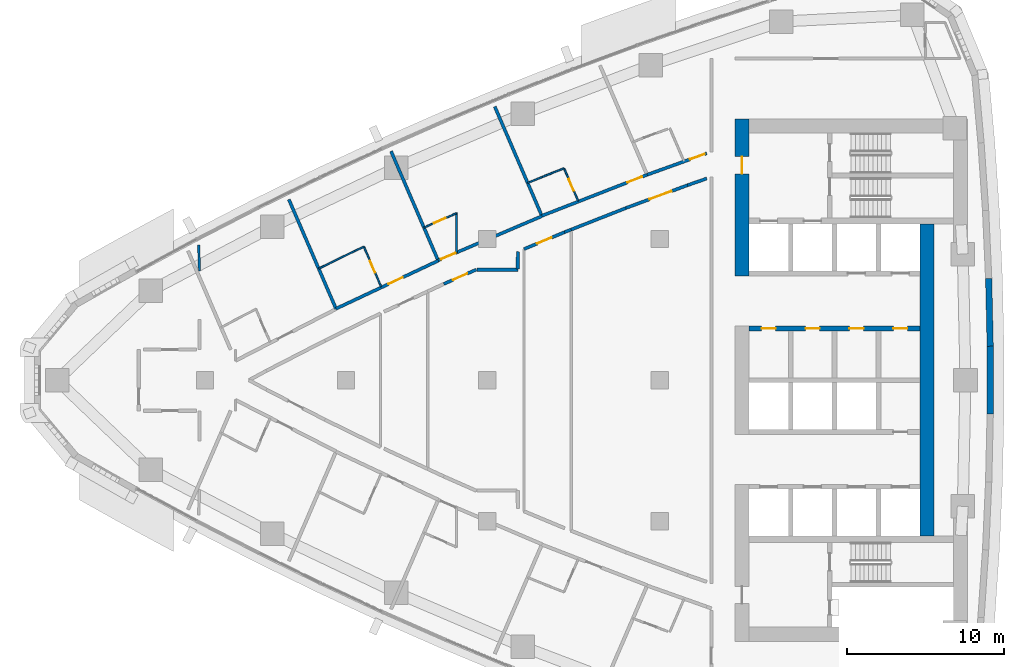
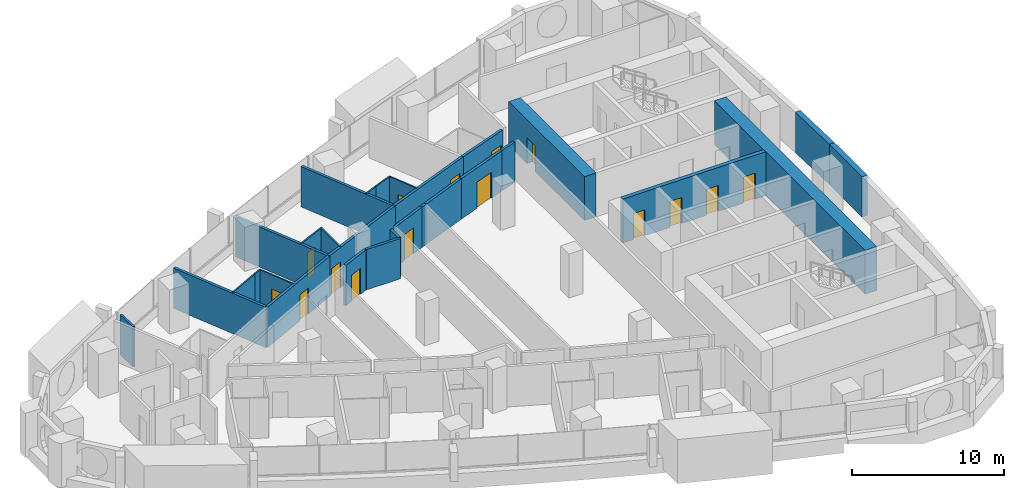
# One storey, part 11 of 17: 29 walls, 15 doors, 15 openings.
"""IFC4 building model written with IfcOpenShell, lengths in metres."""

from ifc_helpers import new_model, si_unit, direction, frame, frame_2d, origin, place, context, subcontext, project, spatial, polyline, rectangle, outline, extrude, material, layer, layer_set, type_object, element, fill, save


model = new_model("IFC4")

# Units and contexts
model_context = context("Model", 3, precision=1e-05, world=origin(), true_north=direction((0.0, 1.0)))
body_context = subcontext(model_context, "Body", "Model", "MODEL_VIEW")
ifc_project = project(units=[si_unit("LENGTHUNIT", "METRE"), si_unit("AREAUNIT", "SQUARE_METRE"), si_unit("VOLUMEUNIT", "CUBIC_METRE"), si_unit("PLANEANGLEUNIT", "RADIAN"), si_unit("MASSUNIT", "GRAM", prefix="KILO")], contexts=[model_context])

# Site, building, storey
site_placement = place(None, origin())
site = spatial("IfcSite", under=ifc_project, at=site_placement, CompositionType="ELEMENT")
building_placement = place(site_placement, origin())
building = spatial("IfcBuilding", under=site, at=building_placement, Name="Ostrand Prow Hotel Tower", CompositionType="ELEMENT")
storey_placement = place(building_placement, frame((0.0, 0.0, 144.39990234375)))
storey = spatial("IfcBuildingStorey", under=building, at=storey_placement, Name="L35", CompositionType="ELEMENT", Elevation=144.39990234375)

# Wall, openings, doors
ifc_material_1 = material(Name="Concrete C70/85", Category="concrete")
ifc_layer_1 = layer(ifc_material_1, 0.300048828125)
ifc_layer_set_1 = layer_set([ifc_layer_1], Name="Concrete C70/85")
wall_type_1 = type_object("IfcWallType", Name="Core wall 300 C70/85", PredefinedType="SHEAR", material=ifc_layer_set_1)
wall_1_placement = place(storey_placement, frame((50.699951171875, 3.300048828125, 0.0), z_axis=(0.0, 0.0, 1.0), x_axis=(1.0, 0.0, 0.0)))
wall_1 = element("IfcWall", 1, at=wall_1_placement, inside=storey, type_object=wall_type_1, Name="Core wall PW-L1-N", PredefinedType="SHEAR", context=body_context, shape_type="SweptSolid", body=[
    extrude(rectangle(XDim=10.900146484375, YDim=0.300048828125, at=frame_2d((5.4501953125, 0.0))), origin(), (0.0, 0.0, 1.0), 3.550048828125),
])
opening_1_placement = place(wall_1_placement, frame((0.800048828125, 0.0, 0.0)))
opening_1 = element("IfcOpeningElement", 2, at=opening_1_placement, cuts=wall_1, Name="Opening FD2", PredefinedType="OPENING", context=body_context, shape_type="SweptSolid", body=[
    extrude(rectangle(XDim=0.89990234375, YDim=2.10009765625, at=frame_2d((0.449951171875, 1.050048828125))), frame((0.0, 0.159912109375, 0.0), z_axis=(0.0, -1.0, 0.0), x_axis=(1.0, 0.0, 0.0)), (0.0, 0.0, 1.0), 0.320068359375),
])
opening_2_placement = place(wall_1_placement, frame((3.60009765625, 0.0, 0.0)))
opening_2 = element("IfcOpeningElement", 3, at=opening_2_placement, cuts=wall_1, Name="Opening FD2", PredefinedType="OPENING", context=body_context, shape_type="SweptSolid", body=[
    extrude(rectangle(XDim=0.89990234375, YDim=2.10009765625, at=frame_2d((0.449951171875, 1.050048828125))), frame((0.0, 0.159912109375, 0.0), z_axis=(0.0, -1.0, 0.0), x_axis=(1.0, 0.0, 0.0)), (0.0, 0.0, 1.0), 0.320068359375),
])
opening_3_placement = place(wall_1_placement, frame((6.39990234375, 0.0, 0.0)))
opening_3 = element("IfcOpeningElement", 4, at=opening_3_placement, cuts=wall_1, Name="Opening FD2", PredefinedType="OPENING", context=body_context, shape_type="SweptSolid", body=[
    extrude(rectangle(XDim=0.89990234375, YDim=2.10009765625, at=frame_2d((0.449951171875, 1.050048828125))), frame((0.0, 0.159912109375, 0.0), z_axis=(0.0, -1.0, 0.0), x_axis=(1.0, 0.0, 0.0)), (0.0, 0.0, 1.0), 0.320068359375),
])
opening_4_placement = place(wall_1_placement, frame((9.199951171875, 0.0, 0.0)))
opening_4 = element("IfcOpeningElement", 5, at=opening_4_placement, cuts=wall_1, Name="Opening FD2", PredefinedType="OPENING", context=body_context, shape_type="SweptSolid", body=[
    extrude(rectangle(XDim=0.89990234375, YDim=2.10009765625, at=frame_2d((0.449951171875, 1.050048828125))), frame((0.0, 0.159912109375, 0.0), z_axis=(0.0, -1.0, 0.0), x_axis=(1.0, 0.0, 0.0)), (0.0, 0.0, 1.0), 0.320068359375),
])
ifc_material_2 = material(Name="Steel fire door", Category="steel")
door_type_1 = type_object("IfcDoorType", Name="Fire door 900 EI120", OperationType="SINGLE_SWING_LEFT", PredefinedType="DOOR", material=ifc_material_2)
door_1_placement = place(opening_1_placement, origin())
door_1 = element("IfcDoor", 6, at=door_1_placement, inside=storey, type_object=door_type_1, Name="DOOR", OperationType="SINGLE_SWING_LEFT", OverallHeight=2.10009765625, OverallWidth=0.89990234375, PredefinedType="DOOR", context=body_context, shape_type="SweptSolid", body=[
    extrude(rectangle(XDim=0.89990234375, YDim=2.10009765625, at=frame_2d((0.449951171875, 1.050048828125))), frame((0.0, 0.02490234375, 0.0), z_axis=(0.0, -1.0, 0.0), x_axis=(1.0, 0.0, 0.0)), (0.0, 0.0, 1.0), 0.050048828125),
])
fill(opening_1, door_1)
door_2_placement = place(opening_2_placement, origin())
door_2 = element("IfcDoor", 7, at=door_2_placement, inside=storey, type_object=door_type_1, Name="DOOR", OperationType="SINGLE_SWING_LEFT", OverallHeight=2.10009765625, OverallWidth=0.89990234375, PredefinedType="DOOR", context=body_context, shape_type="SweptSolid", body=[
    extrude(rectangle(XDim=0.89990234375, YDim=2.10009765625, at=frame_2d((0.449951171875, 1.050048828125))), frame((0.0, 0.02490234375, 0.0), z_axis=(0.0, -1.0, 0.0), x_axis=(1.0, 0.0, 0.0)), (0.0, 0.0, 1.0), 0.050048828125),
])
fill(opening_2, door_2)
door_3_placement = place(opening_3_placement, origin())
door_3 = element("IfcDoor", 8, at=door_3_placement, inside=storey, type_object=door_type_1, Name="DOOR", OperationType="SINGLE_SWING_LEFT", OverallHeight=2.10009765625, OverallWidth=0.89990234375, PredefinedType="DOOR", context=body_context, shape_type="SweptSolid", body=[
    extrude(rectangle(XDim=0.89990234375, YDim=2.10009765625, at=frame_2d((0.449951171875, 1.050048828125))), frame((0.0, 0.02490234375, 0.0), z_axis=(0.0, -1.0, 0.0), x_axis=(1.0, 0.0, 0.0)), (0.0, 0.0, 1.0), 0.050048828125),
])
fill(opening_3, door_3)
door_4_placement = place(opening_4_placement, origin())
door_4 = element("IfcDoor", 9, at=door_4_placement, inside=storey, type_object=door_type_1, Name="DOOR", OperationType="SINGLE_SWING_LEFT", OverallHeight=2.10009765625, OverallWidth=0.89990234375, PredefinedType="DOOR", context=body_context, shape_type="SweptSolid", body=[
    extrude(rectangle(XDim=0.89990234375, YDim=2.10009765625, at=frame_2d((0.449951171875, 1.050048828125))), frame((0.0, 0.02490234375, 0.0), z_axis=(0.0, -1.0, 0.0), x_axis=(1.0, 0.0, 0.0)), (0.0, 0.0, 1.0), 0.050048828125),
])
fill(opening_4, door_4)

# Wall, opening, door
ifc_material_3 = material(Name="Concrete C70/85", Category="concrete")
ifc_layer_2 = layer(ifc_material_3, 0.89990234375)
ifc_layer_set_2 = layer_set([ifc_layer_2], Name="Concrete C70/85")
wall_type_2 = type_object("IfcWallType", Name="Core wall 900 C70/85", PredefinedType="SHEAR", material=ifc_layer_set_2)
wall_2_placement = place(storey_placement, frame((50.25, 6.64990234375, 0.0), z_axis=(0.0, 0.0, 1.0), x_axis=(0.0, 1.0, 0.0)))
wall_2 = element("IfcWall", 10, at=wall_2_placement, inside=storey, type_object=wall_type_2, Name="Core wall CW-W-N", PredefinedType="SHEAR", context=body_context, shape_type="SweptSolid", body=[
    extrude(rectangle(XDim=10.0, YDim=0.89990234375, at=frame_2d((5.0, 0.0))), origin(), (0.0, 0.0, 1.0), 3.550048828125),
])
opening_5_placement = place(wall_2_placement, frame((6.5, 0.0, 0.0)))
opening_5 = element("IfcOpeningElement", 11, at=opening_5_placement, cuts=wall_2, Name="Opening FD1", PredefinedType="OPENING", context=body_context, shape_type="SweptSolid", body=[
    extrude(rectangle(XDim=1.10009765625, YDim=2.10009765625, at=frame_2d((0.550048828125, 1.050048828125))), frame((0.0, 0.4599609375, 0.0), z_axis=(0.0, -1.0, 0.0), x_axis=(1.0, 0.0, 0.0)), (0.0, 0.0, 1.0), 0.919921875),
])
ifc_material_4 = material(Name="Steel fire door", Category="steel")
door_type_2 = type_object("IfcDoorType", Name="Fire door 1100 EI120", OperationType="SINGLE_SWING_RIGHT", PredefinedType="DOOR", material=ifc_material_4)
door_5_placement = place(opening_5_placement, origin())
door_5 = element("IfcDoor", 12, at=door_5_placement, inside=storey, type_object=door_type_2, Name="FIRE DOOR", OperationType="SINGLE_SWING_RIGHT", OverallHeight=2.10009765625, OverallWidth=1.10009765625, PredefinedType="DOOR", context=body_context, shape_type="SweptSolid", body=[
    extrude(rectangle(XDim=1.10009765625, YDim=2.10009765625, at=frame_2d((0.550048828125, 1.050048828125))), frame((0.0, 0.02490234375, 0.0), z_axis=(0.0, -1.0, 0.0), x_axis=(1.0, 0.0, 0.0)), (0.0, 0.0, 1.0), 0.050048828125),
])
fill(opening_5, door_5)

# Walls
wall_3_placement = place(storey_placement, frame((62.050048828125, -9.949951171875, 0.0), z_axis=(0.0, 0.0, 1.0), x_axis=(0.0, 1.0, 0.0)))
element("IfcWall", 13, at=wall_3_placement, inside=storey, type_object=wall_type_2, Name="Core wall CW-E-C", PredefinedType="SHEAR", context=body_context, shape_type="SweptSolid", body=[
    extrude(rectangle(XDim=19.89990234375, YDim=0.89990234375, at=frame_2d((9.949951171875, 0.0))), origin(), (0.0, 0.0, 1.0), 3.550048828125),
])
ifc_material_5 = material(Name="Plasterboard partition")
ifc_layer_3 = layer(ifc_material_5, 0.10009765625)
ifc_layer_set_3 = layer_set([ifc_layer_3], Name="Plasterboard partition")
wall_type_3 = type_object("IfcWallType", Name="Partition 100 bathroom wall", PredefinedType="PARTITIONING", material=ifc_layer_set_3)
wall_4_placement = place(storey_placement, frame((23.25732421875, 7.113037109375, 0.0), z_axis=(0.0, 0.0, 1.0), x_axis=(0.89814200952, 0.439705504555, 0.0)))
element("IfcWall", 14, at=wall_4_placement, inside=storey, type_object=wall_type_3, Name="BATHROOM WALL", PredefinedType="PARTITIONING", context=body_context, shape_type="SweptSolid", body=[
    extrude(rectangle(XDim=2.580810546875, YDim=0.10009765625, at=frame_2d((1.29052734375, 0.0))), origin(), (0.0, 0.0, 1.0), 3.25),
])
wall_5_placement = place(storey_placement, frame((25.5751953125, 8.247802734375, 0.0), z_axis=(0.0, 0.0, 1.0), x_axis=(0.906923333349, 0.421295700699, 0.0)))
element("IfcWall", 15, at=wall_5_placement, inside=storey, type_object=wall_type_3, Name="BATHROOM WALL", PredefinedType="PARTITIONING", context=body_context, shape_type="SweptSolid", body=[
    extrude(rectangle(XDim=0.622314453125, YDim=0.10009765625, at=frame_2d((0.31103515625, 0.0))), origin(), (0.0, 0.0, 1.0), 3.25),
])

# Wall, opening, door
wall_6_placement = place(storey_placement, frame((26.139892578125, 8.510009765625, 0.0), z_axis=(0.0, 0.0, 1.0), x_axis=(0.396018464604, -0.918242547311, 0.0)))
wall_6 = element("IfcWall", 16, at=wall_6_placement, inside=storey, type_object=wall_type_3, Name="BATHROOM WALL", PredefinedType="PARTITIONING", context=body_context, shape_type="SweptSolid", body=[
    extrude(rectangle(XDim=2.77783203125, YDim=0.10009765625, at=frame_2d((1.388916015625, 0.0))), origin(), (0.0, 0.0, 1.0), 3.25),
])
opening_6_placement = place(wall_6_placement, frame((1.0, 0.0, 0.0)))
opening_6 = element("IfcOpeningElement", 17, at=opening_6_placement, cuts=wall_6, Name="Opening D2", PredefinedType="OPENING", context=body_context, shape_type="SweptSolid", body=[
    extrude(rectangle(XDim=0.800048828125, YDim=2.10009765625, at=frame_2d((0.39990234375, 1.050048828125))), frame((0.0, 0.06005859375, 0.0), z_axis=(0.0, -1.0, 0.0), x_axis=(1.0, 0.0, 0.0)), (0.0, 0.0, 1.0), 0.1201171875),
])
ifc_material_6 = material(Name="Timber door leaf", Category="wood")
door_type_3 = type_object("IfcDoorType", Name="Bathroom door 800", OperationType="SINGLE_SWING_LEFT", PredefinedType="DOOR", material=ifc_material_6)
door_6_placement = place(opening_6_placement, origin())
door_6 = element("IfcDoor", 18, at=door_6_placement, inside=storey, type_object=door_type_3, Name="DOOR", OperationType="SINGLE_SWING_LEFT", OverallHeight=2.10009765625, OverallWidth=0.800048828125, PredefinedType="DOOR", context=body_context, shape_type="SweptSolid", body=[
    extrude(rectangle(XDim=0.800048828125, YDim=2.10009765625, at=frame_2d((0.39990234375, 1.050048828125))), frame((0.0, 0.02490234375, 0.0), z_axis=(0.0, -1.0, 0.0), x_axis=(1.0, 0.0, 0.0)), (0.0, 0.0, 1.0), 0.050048828125),
])
fill(opening_6, door_6)

wall_7_placement = place(storey_placement, frame((29.96923828125, 9.7314453125, 0.0), z_axis=(0.0, 0.0, 1.0), x_axis=(0.915118086658, 0.403185921719, 0.0)))
wall_7 = element("IfcWall", 19, at=wall_7_placement, inside=storey, type_object=wall_type_3, Name="BATHROOM WALL", PredefinedType="PARTITIONING", context=body_context, shape_type="SweptSolid", body=[
    extrude(rectangle(XDim=2.24951171875, YDim=0.10009765625, at=frame_2d((1.124755859375, 0.0))), origin(), (0.0, 0.0, 1.0), 3.25),
])
opening_7_placement = place(wall_7_placement, frame((0.699951171875, 0.0, 0.0)))
opening_7 = element("IfcOpeningElement", 20, at=opening_7_placement, cuts=wall_7, Name="Opening D2", PredefinedType="OPENING", context=body_context, shape_type="SweptSolid", body=[
    extrude(rectangle(XDim=0.800048828125, YDim=2.10009765625, at=frame_2d((0.39990234375, 1.050048828125))), frame((0.0, 0.06005859375, 0.0), z_axis=(0.0, -1.0, 0.0), x_axis=(1.0, 0.0, 0.0)), (0.0, 0.0, 1.0), 0.1201171875),
])
door_7_placement = place(opening_7_placement, origin())
door_7 = element("IfcDoor", 21, at=door_7_placement, inside=storey, type_object=door_type_3, Name="DOOR", OperationType="SINGLE_SWING_LEFT", OverallHeight=2.10009765625, OverallWidth=0.800048828125, PredefinedType="DOOR", context=body_context, shape_type="SweptSolid", body=[
    extrude(rectangle(XDim=0.800048828125, YDim=2.10009765625, at=frame_2d((0.39990234375, 1.050048828125))), frame((0.0, 0.02490234375, 0.0), z_axis=(0.0, -1.0, 0.0), x_axis=(1.0, 0.0, 0.0)), (0.0, 0.0, 1.0), 0.050048828125),
])
fill(opening_7, door_7)

# Walls
wall_8_placement = place(storey_placement, frame((36.584228515625, 12.574462890625, 0.0), z_axis=(0.0, 0.0, 1.0), x_axis=(0.923026834192, 0.384735575897, 0.0)))
element("IfcWall", 22, at=wall_8_placement, inside=storey, type_object=wall_type_3, Name="BATHROOM WALL", PredefinedType="PARTITIONING", context=body_context, shape_type="SweptSolid", body=[
    extrude(rectangle(XDim=1.009521484375, YDim=0.10009765625, at=frame_2d((0.5048828125, 0.0))), origin(), (0.0, 0.0, 1.0), 3.25),
])
wall_9_placement = place(storey_placement, frame((37.51611328125, 12.962890625, 0.0), z_axis=(0.0, 0.0, 1.0), x_axis=(0.930584239012, 0.366077825199, 0.0)))
element("IfcWall", 23, at=wall_9_placement, inside=storey, type_object=wall_type_3, Name="BATHROOM WALL", PredefinedType="PARTITIONING", context=body_context, shape_type="SweptSolid", body=[
    extrude(rectangle(XDim=1.4912109375, YDim=0.10009765625, at=frame_2d((0.74560546875, 0.0))), origin(), (0.0, 0.0, 1.0), 3.25),
])

# Wall, opening, door
wall_10_placement = place(storey_placement, frame((38.90380859375, 13.5087890625, 0.0), z_axis=(0.0, 0.0, 1.0), x_axis=(0.396000751487, -0.918250186399, 0.0)))
wall_10 = element("IfcWall", 24, at=wall_10_placement, inside=storey, type_object=wall_type_3, Name="BATHROOM WALL", PredefinedType="PARTITIONING", context=body_context, shape_type="SweptSolid", body=[
    extrude(rectangle(XDim=2.278076171875, YDim=0.10009765625, at=frame_2d((1.13916015625, 0.0))), origin(), (0.0, 0.0, 1.0), 3.25),
])
opening_8_placement = place(wall_10_placement, frame((0.75, 0.0, 0.0)))
opening_8 = element("IfcOpeningElement", 25, at=opening_8_placement, cuts=wall_10, Name="Opening D2", PredefinedType="OPENING", context=body_context, shape_type="SweptSolid", body=[
    extrude(rectangle(XDim=0.800048828125, YDim=2.10009765625, at=frame_2d((0.39990234375, 1.050048828125))), frame((0.0, 0.06005859375, 0.0), z_axis=(0.0, -1.0, 0.0), x_axis=(1.0, 0.0, 0.0)), (0.0, 0.0, 1.0), 0.1201171875),
])
door_8_placement = place(opening_8_placement, origin())
door_8 = element("IfcDoor", 26, at=door_8_placement, inside=storey, type_object=door_type_3, Name="DOOR", OperationType="SINGLE_SWING_LEFT", OverallHeight=2.10009765625, OverallWidth=0.800048828125, PredefinedType="DOOR", context=body_context, shape_type="SweptSolid", body=[
    extrude(rectangle(XDim=0.800048828125, YDim=2.10009765625, at=frame_2d((0.39990234375, 1.050048828125))), frame((0.0, 0.02490234375, 0.0), z_axis=(0.0, -1.0, 0.0), x_axis=(1.0, 0.0, 0.0)), (0.0, 0.0, 1.0), 0.050048828125),
])
fill(opening_8, door_8)

# Walls
wall_11_placement = place(storey_placement, frame((32.044921875, 10.6611328125, 0.0), z_axis=(0.0, 0.0, 1.0), x_axis=(0.0, -1.0, 0.0)))
element("IfcWall", 27, at=wall_11_placement, inside=storey, type_object=wall_type_3, Name="BATHROOM WALL", PredefinedType="PARTITIONING", context=body_context, shape_type="SweptSolid", body=[
    extrude(rectangle(XDim=2.52294921875, YDim=0.10009765625, at=frame_2d((1.261474609375, 0.0))), origin(), (0.0, 0.0, 1.0), 3.25),
])
ifc_material_7 = material(Name="Plasterboard partition")
ifc_layer_4 = layer(ifc_material_7, 0.14990234375)
ifc_layer_set_4 = layer_set([ifc_layer_4], Name="Plasterboard partition")
wall_type_4 = type_object("IfcWallType", Name="Partition 150 room partition", PredefinedType="PARTITIONING", material=ifc_layer_set_4)
wall_12_placement = place(storey_placement, frame((15.603759765625, 8.60888671875, 0.0), z_axis=(0.0, 0.0, 1.0), x_axis=(0.033196927484, -0.999448830109, 0.0)))
element("IfcWall", 28, at=wall_12_placement, inside=storey, type_object=wall_type_4, Name="ROOM PARTITION", PredefinedType="PARTITIONING", context=body_context, shape_type="SweptSolid", body=[
    extrude(rectangle(XDim=1.65478515625, YDim=0.14990234375, at=frame_2d((0.827392578125, 0.0))), origin(), (0.0, 0.0, 1.0), 3.25),
])

# Wall, opening, door
ifc_material_8 = material(Name="Plasterboard partition")
ifc_layer_5 = layer(ifc_material_8, 0.199951171875)
ifc_layer_set_5 = layer_set([ifc_layer_5], Name="Plasterboard partition")
wall_type_5 = type_object("IfcWallType", Name="Partition 200 corridor wall", PredefinedType="PARTITIONING", material=ifc_layer_set_5)
wall_13_placement = place(storey_placement, frame((24.359619140625, 4.557373046875, 0.0), z_axis=(0.0, 0.0, 1.0), x_axis=(0.905157912263, 0.425075468439, 0.0)))
wall_13 = element("IfcWall", 29, at=wall_13_placement, inside=storey, type_object=wall_type_5, Name="CORRIDOR WALL", PredefinedType="PARTITIONING", context=body_context, shape_type="SweptSolid", body=[
    extrude(rectangle(XDim=7.203369140625, YDim=0.199951171875, at=frame_2d((3.6015625, 0.0))), origin(), (0.0, 0.0, 1.0), 3.25),
])
opening_9_placement = place(wall_13_placement, frame((3.699951171875, 0.0, 0.0)))
opening_9 = element("IfcOpeningElement", 30, at=opening_9_placement, cuts=wall_13, Name="Opening D1", PredefinedType="OPENING", context=body_context, shape_type="SweptSolid", body=[
    extrude(rectangle(XDim=1.0, YDim=2.10009765625, at=frame_2d((0.5, 1.050048828125))), frame((0.0, 0.10986328125, 0.0), z_axis=(0.0, -1.0, 0.0), x_axis=(1.0, 0.0, 0.0)), (0.0, 0.0, 1.0), 0.219970703125),
])
ifc_material_9 = material(Name="Timber door leaf", Category="wood")
door_type_4 = type_object("IfcDoorType", Name="Guest room door 1000", OperationType="SINGLE_SWING_LEFT", PredefinedType="DOOR", material=ifc_material_9)
door_9_placement = place(opening_9_placement, origin())
door_9 = element("IfcDoor", 31, at=door_9_placement, inside=storey, type_object=door_type_4, Name="DOOR", OperationType="SINGLE_SWING_LEFT", OverallHeight=2.10009765625, OverallWidth=1.0, PredefinedType="DOOR", context=body_context, shape_type="SweptSolid", body=[
    extrude(rectangle(XDim=1.0, YDim=2.10009765625, at=frame_2d((0.5, 1.050048828125))), frame((0.0, 0.02490234375, 0.0), z_axis=(0.0, -1.0, 0.0), x_axis=(1.0, 0.0, 0.0)), (0.0, 0.0, 1.0), 0.050048828125),
])
fill(opening_9, door_9)

wall_14_placement = place(storey_placement, frame((30.8720703125, 7.6376953125, 0.0), z_axis=(0.0, 0.0, 1.0), x_axis=(0.919834621271, 0.392306346509, 0.0)))
wall_14 = element("IfcWall", 32, at=wall_14_placement, inside=storey, type_object=wall_type_5, Name="CORRIDOR WALL", PredefinedType="PARTITIONING", context=body_context, shape_type="SweptSolid", body=[
    extrude(rectangle(XDim=7.2001953125, YDim=0.199951171875, at=frame_2d((3.60009765625, 0.0))), origin(), (0.0, 0.0, 1.0), 3.25),
])
opening_10_placement = place(wall_14_placement, frame((0.199951171875, 0.0, 0.0)))
opening_10 = element("IfcOpeningElement", 33, at=opening_10_placement, cuts=wall_14, Name="Opening D1", PredefinedType="OPENING", context=body_context, shape_type="SweptSolid", body=[
    extrude(rectangle(XDim=1.0, YDim=2.10009765625, at=frame_2d((0.5, 1.050048828125))), frame((0.0, 0.10986328125, 0.0), z_axis=(0.0, -1.0, 0.0), x_axis=(1.0, 0.0, 0.0)), (0.0, 0.0, 1.0), 0.219970703125),
])
door_10_placement = place(opening_10_placement, origin())
door_10 = element("IfcDoor", 34, at=door_10_placement, inside=storey, type_object=door_type_4, Name="DOOR", OperationType="SINGLE_SWING_LEFT", OverallHeight=2.10009765625, OverallWidth=1.0, PredefinedType="DOOR", context=body_context, shape_type="SweptSolid", body=[
    extrude(rectangle(XDim=1.0, YDim=2.10009765625, at=frame_2d((0.5, 1.050048828125))), frame((0.0, 0.02490234375, 0.0), z_axis=(0.0, -1.0, 0.0), x_axis=(1.0, 0.0, 0.0)), (0.0, 0.0, 1.0), 0.050048828125),
])
fill(opening_10, door_10)

wall_15_placement = place(storey_placement, frame((44.19921875, 13.098388671875, 0.0), z_axis=(0.0, 0.0, 1.0), x_axis=(-0.931657652296, -0.363337334882, 0.0)))
wall_15 = element("IfcWall", 35, at=wall_15_placement, inside=storey, type_object=wall_type_5, Name="CORRIDOR WALL", PredefinedType="PARTITIONING", context=body_context, shape_type="SweptSolid", body=[
    extrude(rectangle(XDim=7.20458984375, YDim=0.199951171875, at=frame_2d((3.602294921875, 0.0))), origin(), (0.0, 0.0, 1.0), 3.25),
])
opening_11_placement = place(wall_15_placement, frame((0.35009765625, 0.0, 0.0)))
opening_11 = element("IfcOpeningElement", 36, at=opening_11_placement, cuts=wall_15, Name="Opening D1", PredefinedType="OPENING", context=body_context, shape_type="SweptSolid", body=[
    extrude(rectangle(XDim=1.0, YDim=2.10009765625, at=frame_2d((0.5, 1.050048828125))), frame((0.0, 0.10986328125, 0.0), z_axis=(0.0, -1.0, 0.0), x_axis=(1.0, 0.0, 0.0)), (0.0, 0.0, 1.0), 0.219970703125),
])
door_11_placement = place(opening_11_placement, origin())
door_11 = element("IfcDoor", 37, at=door_11_placement, inside=storey, type_object=door_type_4, Name="DOOR", OperationType="SINGLE_SWING_LEFT", OverallHeight=2.10009765625, OverallWidth=1.0, PredefinedType="DOOR", context=body_context, shape_type="SweptSolid", body=[
    extrude(rectangle(XDim=1.0, YDim=2.10009765625, at=frame_2d((0.5, 1.050048828125))), frame((0.0, 0.02490234375, 0.0), z_axis=(0.0, -1.0, 0.0), x_axis=(1.0, 0.0, 0.0)), (0.0, 0.0, 1.0), 0.050048828125),
])
fill(opening_11, door_11)

wall_16_placement = place(storey_placement, frame((31.231201171875, 6.135009765625, 0.0), z_axis=(0.0, 0.0, 1.0), x_axis=(0.915102334452, 0.403221672881, 0.0)))
wall_16 = element("IfcWall", 38, at=wall_16_placement, inside=storey, type_object=wall_type_5, Name="CORRIDOR WALL", PredefinedType="PARTITIONING", context=body_context, shape_type="SweptSolid", body=[
    extrude(rectangle(XDim=2.269287109375, YDim=0.199951171875, at=frame_2d((1.134765625, 0.0))), origin(), (0.0, 0.0, 1.0), 3.25),
])
opening_12_placement = place(wall_16_placement, frame((0.634521484375, 0.0, 0.0)))
opening_12 = element("IfcOpeningElement", 39, at=opening_12_placement, cuts=wall_16, Name="Opening D1", PredefinedType="OPENING", context=body_context, shape_type="SweptSolid", body=[
    extrude(rectangle(XDim=1.0, YDim=2.10009765625, at=frame_2d((0.5, 1.050048828125))), frame((0.0, 0.10986328125, 0.0), z_axis=(0.0, -1.0, 0.0), x_axis=(1.0, 0.0, 0.0)), (0.0, 0.0, 1.0), 0.219970703125),
])
door_12_placement = place(opening_12_placement, origin())
door_12 = element("IfcDoor", 40, at=door_12_placement, inside=storey, type_object=door_type_4, Name="DOOR", OperationType="SINGLE_SWING_LEFT", OverallHeight=2.10009765625, OverallWidth=1.0, PredefinedType="DOOR", context=body_context, shape_type="SweptSolid", body=[
    extrude(rectangle(XDim=1.0, YDim=2.10009765625, at=frame_2d((0.5, 1.050048828125))), frame((0.0, 0.02490234375, 0.0), z_axis=(0.0, -1.0, 0.0), x_axis=(1.0, 0.0, 0.0)), (0.0, 0.0, 1.0), 0.050048828125),
])
fill(opening_12, door_12)

wall_17_placement = place(storey_placement, frame((36.35302734375, 8.361083984375, 0.0), z_axis=(0.0, 0.0, 1.0), x_axis=(0.922997109092, 0.384806882224, 0.0)))
wall_17 = element("IfcWall", 41, at=wall_17_placement, inside=storey, type_object=wall_type_5, Name="CORRIDOR WALL", PredefinedType="PARTITIONING", context=body_context, shape_type="SweptSolid", body=[
    extrude(rectangle(XDim=2.80615234375, YDim=0.199951171875, at=frame_2d((1.403076171875, 0.0))), origin(), (0.0, 0.0, 1.0), 3.25),
])
opening_13_placement = place(wall_17_placement, frame((0.903076171875, 0.0, 0.0)))
opening_13 = element("IfcOpeningElement", 42, at=opening_13_placement, cuts=wall_17, Name="Opening D1R", PredefinedType="OPENING", context=body_context, shape_type="SweptSolid", body=[
    extrude(rectangle(XDim=1.0, YDim=2.10009765625, at=frame_2d((0.5, 1.050048828125))), frame((0.0, 0.10986328125, 0.0), z_axis=(0.0, -1.0, 0.0), x_axis=(1.0, 0.0, 0.0)), (0.0, 0.0, 1.0), 0.219970703125),
])
ifc_material_10 = material(Name="Timber door leaf", Category="wood")
door_type_5 = type_object("IfcDoorType", Name="Guest room door 1000 right", OperationType="SINGLE_SWING_RIGHT", PredefinedType="DOOR", material=ifc_material_10)
door_13_placement = place(opening_13_placement, origin())
door_13 = element("IfcDoor", 43, at=door_13_placement, inside=storey, type_object=door_type_5, Name="DOOR", OperationType="SINGLE_SWING_RIGHT", OverallHeight=2.10009765625, OverallWidth=1.0, PredefinedType="DOOR", context=body_context, shape_type="SweptSolid", body=[
    extrude(rectangle(XDim=1.0, YDim=2.10009765625, at=frame_2d((0.5, 1.050048828125))), frame((0.0, 0.02490234375, 0.0), z_axis=(0.0, -1.0, 0.0), x_axis=(1.0, 0.0, 0.0)), (0.0, 0.0, 1.0), 0.050048828125),
])
fill(opening_13, door_13)

wall_18_placement = place(storey_placement, frame((42.84716796875, 10.976806640625, 0.0), z_axis=(0.0, 0.0, 1.0), x_axis=(0.937732614305, 0.347357948044, 0.0)))
wall_18 = element("IfcWall", 44, at=wall_18_placement, inside=storey, type_object=wall_type_5, Name="CORRIDOR WALL", PredefinedType="PARTITIONING", context=body_context, shape_type="SweptSolid", body=[
    extrude(rectangle(XDim=4.1953125, YDim=0.199951171875, at=frame_2d((2.09765625, 0.0))), origin(), (0.0, 0.0, 1.0), 3.25),
])
opening_14_placement = place(wall_18_placement, frame((1.59765625, 0.0, 0.0)))
opening_14 = element("IfcOpeningElement", 45, at=opening_14_placement, cuts=wall_18, Name="Opening D15", PredefinedType="OPENING", context=body_context, shape_type="SweptSolid", body=[
    extrude(rectangle(XDim=1.5, YDim=2.10009765625, at=frame_2d((0.75, 1.050048828125))), frame((0.0, 0.10986328125, 0.0), z_axis=(0.0, -1.0, 0.0), x_axis=(1.0, 0.0, 0.0)), (0.0, 0.0, 1.0), 0.219970703125),
])
ifc_material_11 = material(Name="Timber door leaf", Category="wood")
door_type_6 = type_object("IfcDoorType", Name="Double door 1500", OperationType="DOUBLE_DOOR_SINGLE_SWING", PredefinedType="DOOR", material=ifc_material_11)
door_14_placement = place(opening_14_placement, origin())
door_14 = element("IfcDoor", 46, at=door_14_placement, inside=storey, type_object=door_type_6, Name="DOOR", OperationType="DOUBLE_DOOR_SINGLE_SWING", OverallHeight=2.10009765625, OverallWidth=1.5, PredefinedType="DOOR", context=body_context, shape_type="SweptSolid", body=[
    extrude(rectangle(XDim=1.5, YDim=2.10009765625, at=frame_2d((0.75, 1.050048828125))), frame((0.0, 0.02490234375, 0.0), z_axis=(0.0, -1.0, 0.0), x_axis=(1.0, 0.0, 0.0)), (0.0, 0.0, 1.0), 0.050048828125),
])
fill(opening_14, door_14)

# Wall
wall_19_placement = place(storey_placement, frame((39.35302734375, 9.60205078125, 0.0), z_axis=(0.0, 0.0, 1.0), x_axis=(0.930564862228, 0.366127077921, 0.0)))
element("IfcWall", 47, at=wall_19_placement, inside=storey, type_object=wall_type_5, Name="CORRIDOR WALL", PredefinedType="PARTITIONING", context=body_context, shape_type="SweptSolid", body=[
    extrude(rectangle(XDim=3.7548828125, YDim=0.199951171875, at=frame_2d((1.87744140625, 0.0))), origin(), (0.0, 0.0, 1.0), 3.25),
])

# Wall, opening, door
wall_20_placement = place(storey_placement, frame((48.0, 14.463623046875, 0.0), z_axis=(0.0, 0.0, 1.0), x_axis=(-0.941127615579, -0.338051491927, 0.0)))
wall_20 = element("IfcWall", 48, at=wall_20_placement, inside=storey, type_object=wall_type_5, Name="CORRIDOR WALL", PredefinedType="PARTITIONING", context=body_context, shape_type="SweptSolid", body=[
    extrude(rectangle(XDim=4.03857421875, YDim=0.199951171875, at=frame_2d((2.019287109375, 0.0))), origin(), (0.0, 0.0, 1.0), 3.25),
])
opening_15_placement = place(wall_20_placement, frame((0.131103515625, 0.0, 0.0)))
opening_15 = element("IfcOpeningElement", 49, at=opening_15_placement, cuts=wall_20, Name="Opening D1", PredefinedType="OPENING", context=body_context, shape_type="SweptSolid", body=[
    extrude(rectangle(XDim=1.0, YDim=2.10009765625, at=frame_2d((0.5, 1.050048828125))), frame((0.0, 0.10986328125, 0.0), z_axis=(0.0, -1.0, 0.0), x_axis=(1.0, 0.0, 0.0)), (0.0, 0.0, 1.0), 0.219970703125),
])
door_15_placement = place(opening_15_placement, origin())
door_15 = element("IfcDoor", 50, at=door_15_placement, inside=storey, type_object=door_type_4, Name="DOOR", OperationType="SINGLE_SWING_LEFT", OverallHeight=2.10009765625, OverallWidth=1.0, PredefinedType="DOOR", context=body_context, shape_type="SweptSolid", body=[
    extrude(rectangle(XDim=1.0, YDim=2.10009765625, at=frame_2d((0.5, 1.050048828125))), frame((0.0, 0.02490234375, 0.0), z_axis=(0.0, -1.0, 0.0), x_axis=(1.0, 0.0, 0.0)), (0.0, 0.0, 1.0), 0.050048828125),
])
fill(opening_15, door_15)

# Walls
wall_21_placement = place(storey_placement, frame((46.78125, 12.43408203125, 0.0), z_axis=(0.0, 0.0, 1.0), x_axis=(0.944517215109, 0.328461916152, 0.0)))
element("IfcWall", 51, at=wall_21_placement, inside=storey, type_object=wall_type_5, Name="CORRIDOR WALL", PredefinedType="PARTITIONING", context=body_context, shape_type="SweptSolid", body=[
    extrude(rectangle(XDim=1.290283203125, YDim=0.199951171875, at=frame_2d((0.64501953125, 0.0))), origin(), (0.0, 0.0, 1.0), 3.25),
])
wall_22_placement = place(storey_placement, frame((33.347412109375, 7.044921875, 0.0), z_axis=(0.0, 0.0, 1.0), x_axis=(0.999999982426, 0.000187476562, 0.0)))
element("IfcWall", 52, at=wall_22_placement, inside=storey, type_object=wall_type_5, Name="CORRIDOR WALL", PredefinedType="PARTITIONING", context=body_context, shape_type="SweptSolid", body=[
    extrude(rectangle(XDim=2.6044921875, YDim=0.199951171875, at=frame_2d((1.30224609375, 0.0))), origin(), (0.0, 0.0, 1.0), 3.25),
])
wall_23_placement = place(storey_placement, frame((35.951904296875, 7.08544921875, 0.0), z_axis=(0.0, 0.0, 1.0), x_axis=(0.002873551354, 0.999995871343, 0.0)))
element("IfcWall", 53, at=wall_23_placement, inside=storey, type_object=wall_type_5, Name="CORRIDOR WALL", PredefinedType="PARTITIONING", context=body_context, shape_type="SweptSolid", body=[
    extrude(rectangle(XDim=1.1044921875, YDim=0.199951171875, at=frame_2d((0.55224609375, 0.0))), origin(), (0.0, 0.0, 1.0), 3.25),
])
wall_24_placement = place(storey_placement, frame((38.943115234375, 9.44091796875, 0.0), z_axis=(0.0, 0.0, 1.0), x_axis=(0.930677362884, 0.365841012212, 0.0)))
element("IfcWall", 54, at=wall_24_placement, inside=storey, type_object=wall_type_5, Name="CORRIDOR WALL", PredefinedType="PARTITIONING", context=body_context, shape_type="SweptSolid", body=[
    extrude(rectangle(XDim=0.4404296875, YDim=0.199951171875, at=frame_2d((0.22021484375, 0.0))), origin(), (0.0, 0.0, 1.0), 3.25),
])
ifc_material_12 = material(Name="Plasterboard partition")
ifc_layer_6 = layer(ifc_material_12, 0.199951171875)
ifc_layer_set_6 = layer_set([ifc_layer_6], Name="Plasterboard partition")
wall_type_6 = type_object("IfcWallType", Name="Partition 200 key partition", PredefinedType="PARTITIONING", material=ifc_layer_set_6)
wall_25_placement = place(storey_placement, frame((24.367431640625, 4.5390625, 0.0), z_axis=(0.0, 0.0, 1.0), x_axis=(-0.395982367396, 0.918258114427, 0.0)))
element("IfcWall", 55, at=wall_25_placement, inside=storey, type_object=wall_type_6, Name="KEY PARTITION", PredefinedType="PARTITIONING", context=body_context, shape_type="SweptSolid", body=[
    extrude(rectangle(XDim=7.60888671875, YDim=0.199951171875, at=frame_2d((3.804443359375, 0.0))), origin(), (0.0, 0.0, 1.0), 3.25),
])
wall_26_placement = place(storey_placement, frame((30.8798828125, 7.619384765625, 0.0), z_axis=(0.0, 0.0, 1.0), x_axis=(-0.395976934703, 0.91826045716, 0.0)))
element("IfcWall", 56, at=wall_26_placement, inside=storey, type_object=wall_type_6, Name="KEY PARTITION", PredefinedType="PARTITIONING", context=body_context, shape_type="SweptSolid", body=[
    extrude(rectangle(XDim=7.600341796875, YDim=0.199951171875, at=frame_2d((3.80029296875, 0.0))), origin(), (0.0, 0.0, 1.0), 3.25),
])
wall_27_placement = place(storey_placement, frame((37.4951171875, 10.46240234375, 0.0), z_axis=(0.0, 0.0, 1.0), x_axis=(-0.396019423722, 0.918242133664, 0.0)))
element("IfcWall", 57, at=wall_27_placement, inside=storey, type_object=wall_type_6, Name="KEY PARTITION", PredefinedType="PARTITIONING", context=body_context, shape_type="SweptSolid", body=[
    extrude(rectangle(XDim=7.6005859375, YDim=0.199951171875, at=frame_2d((3.80029296875, 0.0))), origin(), (0.0, 0.0, 1.0), 3.25),
])
ifc_material_13 = material(Name="Precast concrete C40/50", Category="concrete")
ifc_layer_7 = layer(ifc_material_13, 0.39990234375)
ifc_layer_set_7 = layer_set([ifc_layer_7], Name="Precast concrete C40/50")
wall_type_7 = type_object("IfcWallType", Name="Stone-faced precast wall 400 mm", PredefinedType="NOTDEFINED", material=ifc_layer_set_7)
wall_28_placement = place(storey_placement, frame((66.07568359375, -2.16455078125, 0.0), z_axis=(0.0, 0.0, 1.0), x_axis=(0.0, 1.0, 0.0)))
element("IfcWall", 58, at=wall_28_placement, inside=storey, type_object=wall_type_7, Name="Stone-faced wall back 9", PredefinedType="NOTDEFINED", context=body_context, shape_type="SweptSolid", body=[
    extrude(outline(polyline([(-0.002197265625, -0.199951171875), (4.331298828125, -0.199951171875), (4.326904296875, 0.199951171875), (0.002197265625, 0.199951171875), (-0.002197265625, -0.199951171875)])), origin(), (0.0, 0.0, 1.0), 3.25),
])
wall_29_placement = place(storey_placement, frame((66.07568359375, 2.16455078125, 0.0), z_axis=(0.0, 0.0, 1.0), x_axis=(-0.02261635063, 0.99974421763, 0.0)))
element("IfcWall", 59, at=wall_29_placement, inside=storey, type_object=wall_type_7, Name="Stone-faced wall back 10", PredefinedType="NOTDEFINED", context=body_context, shape_type="SweptSolid", body=[
    extrude(outline(polyline([(-0.002197265625, -0.199951171875), (4.3310546875, -0.199951171875), (4.32666015625, 0.199951171875), (0.002197265625, 0.199951171875), (-0.002197265625, -0.199951171875)])), origin(), (0.0, 0.0, 1.0), 3.25),
])

save(model, "model.ifc")
